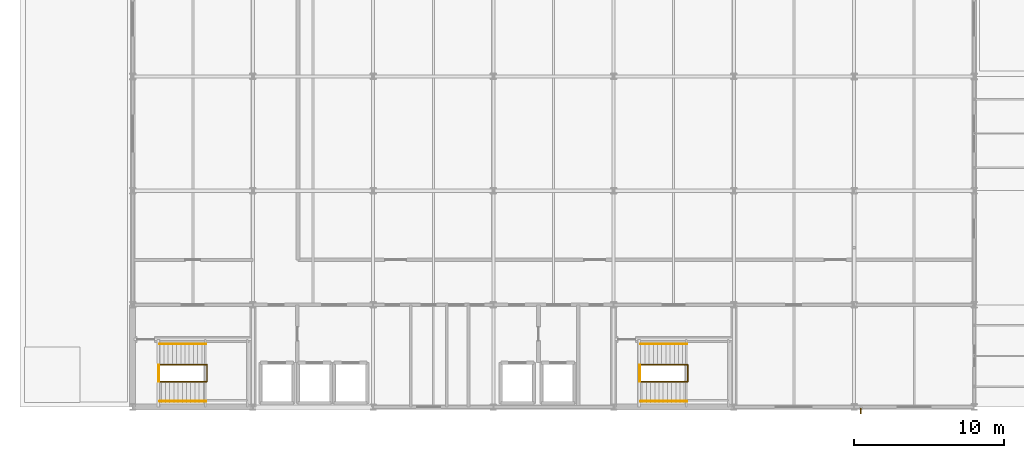
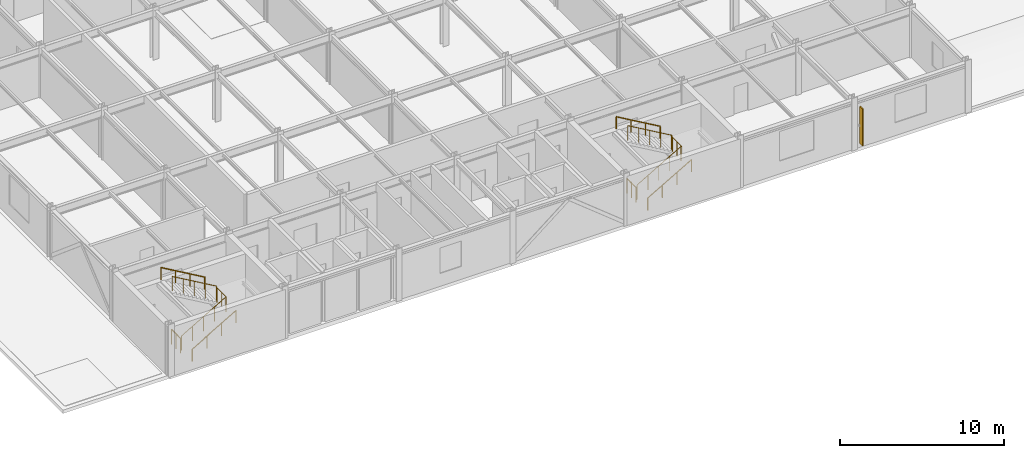
# One storey, part 45 of 46: 8 railings, 1 shading device.
"""IFC4 building model written with IfcOpenShell, lengths in metres."""

import ifcopenshell
import ifcopenshell.guid

model = None  # the IFC model being written
_history = None  # IfcOwnerHistory: only IFC2X3 demands one
_inside = {}  # id of a spatial element -> (the spatial element, [elements in it])
_under = {}  # id of a project, library or spatial element -> (it, [spatial elements below it])
_declared = {}  # id of a project -> (the project, [libraries it declares])
_typed = {}  # id of a type object -> (the type object, [elements of that type])
_made_of = {}  # id of a material, layer set ... -> (it, [elements and type objects made of it])


def new_model(schema):
    """Start an empty IFC model of exactly this schema.

    Asked for "IFC4X3", IfcOpenShell would pick the latest addendum, in which some entities
    have other attributes; the version numbers below select the first issue.
    IFC2X3 requires an IfcOwnerHistory on every rooted entity: one is made here for all.
    """
    global model, _history
    if schema == "IFC4X3":
        model = ifcopenshell.file(schema_version=(4, 3, 0, 0))
    else:
        model = ifcopenshell.file(schema=schema)
    _inside.clear()
    _under.clear()
    _declared.clear()
    _typed.clear()
    _made_of.clear()
    _history = None
    if model.schema == "IFC2X3":
        org = make("IfcOrganization", Name="unknown")
        user = make(
            "IfcPersonAndOrganization",
            ThePerson=make("IfcPerson", FamilyName="unknown"),
            TheOrganization=org,
        )
        app = make(
            "IfcApplication",
            ApplicationDeveloper=org,
            Version="unknown",
            ApplicationFullName="unknown",
            ApplicationIdentifier="unknown",
        )
        _history = make(
            "IfcOwnerHistory",
            OwningUser=user,
            OwningApplication=app,
            ChangeAction="ADDED",
            CreationDate=0,
        )
    return model


def make(cls, **values):
    """One entity of the class cls with the attributes given. An attribute that is None is left unset."""
    return model.create_entity(
        cls, **{name: value for name, value in values.items() if value is not None}
    )


def rooted(cls, **values):
    """An entity with a GlobalId (a new one), such as an element, a storey or a relation."""
    return make(cls, GlobalId=ifcopenshell.guid.new(), OwnerHistory=_history, **values)


def si_unit(unit_type, name, prefix=None):
    """IfcSIUnit, for example si_unit("LENGTHUNIT", "METRE", prefix="MILLI")."""
    return make("IfcSIUnit", UnitType=unit_type, Prefix=prefix, Name=name)


def assignment(units):
    """IfcUnitAssignment: the units of a project."""
    return None if units is None else make("IfcUnitAssignment", Units=units)


def point(xyz):
    """IfcCartesianPoint."""
    return None if xyz is None else make("IfcCartesianPoint", Coordinates=xyz)


def direction(xyz):
    """IfcDirection."""
    return None if xyz is None else make("IfcDirection", DirectionRatios=xyz)


def frame(location, z_axis=None, x_axis=None):
    """IfcAxis2Placement3D, a coordinate frame: its origin and axes. An axis left out is left unset."""
    return make(
        "IfcAxis2Placement3D",
        Location=point(location),
        Axis=direction(z_axis),
        RefDirection=direction(x_axis),
    )


def frame_2d(location, x_axis=None):
    """IfcAxis2Placement2D, a coordinate frame in the plane: its origin and x axis."""
    return make(
        "IfcAxis2Placement2D", Location=point(location), RefDirection=direction(x_axis)
    )


def origin():
    """The frame at (0, 0, 0) with its axes left unset."""
    return frame((0.0, 0.0, 0.0))


def origin_2d():
    """The frame at (0, 0) in the plane with its x axis left unset."""
    return frame_2d((0.0, 0.0))


def place(relative_to, where):
    """IfcLocalPlacement: puts the frame where relative to a parent placement (None: the world)."""
    return make(
        "IfcLocalPlacement", PlacementRelTo=relative_to, RelativePlacement=where
    )


def context(
    kind, dimensions, precision=None, world=None, true_north=None, identifier=None
):
    """IfcGeometricRepresentationContext, for example the 3D "Model" context."""
    return make(
        "IfcGeometricRepresentationContext",
        ContextIdentifier=identifier,
        ContextType=kind,
        CoordinateSpaceDimension=dimensions,
        Precision=precision,
        WorldCoordinateSystem=world,
        TrueNorth=true_north,
    )


def subcontext(parent, identifier, kind, view, scale=None):
    """IfcGeometricRepresentationSubContext, for example "Body" below "Model"."""
    return make(
        "IfcGeometricRepresentationSubContext",
        ContextIdentifier=identifier,
        ContextType=kind,
        ParentContext=parent,
        TargetScale=scale,
        TargetView=view,
    )


def project(units=None, contexts=None):
    """IfcProject with its units and contexts."""
    return rooted(
        "IfcProject",
        Name="project",
        RepresentationContexts=contexts,
        UnitsInContext=assignment(units),
    )


def spatial(cls, under=None, at=None, **own):
    """A site, building, storey or space (cls), placed at a placement, below another one or the project."""
    s = rooted(cls, ObjectPlacement=at, **own)
    if under is not None:
        _under.setdefault(under.id(), (under, []))[1].append(s)
    return s


def profile(cls, at=None, kind="AREA", **sizes):
    """A parametric profile (cls). Its sizes go by their IFC names, for example OverallWidth=200.0."""
    return make(cls, ProfileType=kind, Position=at, **sizes)


def rectangle(**sizes):
    """IfcRectangleProfileDef."""
    return profile("IfcRectangleProfileDef", **sizes)


def circle(**sizes):
    """IfcCircleProfileDef."""
    return profile("IfcCircleProfileDef", **sizes)


def extrude(swept, where, along, depth):
    """IfcExtrudedAreaSolid: the profile swept, set in the frame where, extruded along a direction by depth."""
    return make(
        "IfcExtrudedAreaSolid",
        SweptArea=swept,
        Position=where,
        ExtrudedDirection=direction(along),
        Depth=depth,
    )


def shape(context_of_items, identifier, shape_type, items):
    """IfcShapeRepresentation: the items that make up one representation, for example the "Body"."""
    return make(
        "IfcShapeRepresentation",
        ContextOfItems=context_of_items,
        RepresentationIdentifier=identifier,
        RepresentationType=shape_type,
        Items=items,
    )


def material(Name=None, Category=None):
    """IfcMaterial."""
    return make("IfcMaterial", Name=Name, Category=Category)


def layer(
    of_material, thickness, ventilated=None, Name=None, Category=None, Priority=None
):
    """IfcMaterialLayer: one layer of a wall or slab, of a material (None: an air gap)."""
    return make(
        "IfcMaterialLayer",
        Material=of_material,
        LayerThickness=thickness,
        IsVentilated=ventilated,
        Name=Name,
        Category=Category,
        Priority=Priority,
    )


def layer_set(layers, Name=None):
    """IfcMaterialLayerSet."""
    return make("IfcMaterialLayerSet", MaterialLayers=layers, LayerSetName=Name)


def made_of(thing, what):
    """Note that an element or type object is made of a material, layer set ...; save() writes the relation."""
    if what is not None:
        _made_of.setdefault(what.id(), (what, []))[1].append(thing)
    return thing


def type_object(cls, material=None, **own):
    """A type object (cls), such as IfcWallType, which elements share."""
    return made_of(rooted(cls, **own), material)


def element(
    cls,
    number,
    at=None,
    inside=None,
    cuts=None,
    type_object=None,
    material=None,
    context=None,
    identifier="Body",
    shape_type=None,
    held_by="IfcProductDefinitionShape",
    body=None,
    shapes=None,
    **own,
):
    """One element of the class cls, such as IfcWall. Its Tag is "e" and its number.

    at: its placement. inside: the storey or other place that contains it. cuts: it is an
    opening in that element (IfcRelVoidsElement). A single representation is given by context,
    identifier, shape_type and body (its items); several are given by shapes. held_by: the class
    of the entity that holds the representations. save() writes the other relations.
    """
    e = rooted(cls, Tag="e%d" % number, ObjectPlacement=at, **own)
    if body is not None:
        shapes = [shape(context, identifier, shape_type, body)]
    if shapes is not None:
        e.Representation = make(held_by, Representations=shapes)
    if inside is not None:
        _inside.setdefault(inside.id(), (inside, []))[1].append(e)
    if cuts is not None:
        rooted(
            "IfcRelVoidsElement", RelatingBuildingElement=cuts, RelatedOpeningElement=e
        )
    if type_object is not None:
        _typed.setdefault(type_object.id(), (type_object, []))[1].append(e)
    return made_of(e, material)


def aggregate(whole, parts):
    """IfcRelAggregates: a whole, such as a stair, and the parts it consists of."""
    return rooted("IfcRelAggregates", RelatingObject=whole, RelatedObjects=parts)


def save(model, path):
    """Write the relations noted so far, then the file.

    IfcRelAggregates (storeys below a building ...), IfcRelContainedInSpatialStructure (elements
    in a storey), IfcRelDefinesByType, IfcRelAssociatesMaterial and IfcRelDeclares: one each for
    every whole, place, type object, material and project.
    """
    for whole, parts in _under.values():
        aggregate(whole, parts)
    for where, things in _inside.values():
        rooted(
            "IfcRelContainedInSpatialStructure",
            RelatedElements=things,
            RelatingStructure=where,
        )
    for kind, things in _typed.values():
        rooted("IfcRelDefinesByType", RelatedObjects=things, RelatingType=kind)
    for what, things in _made_of.values():
        rooted("IfcRelAssociatesMaterial", RelatedObjects=things, RelatingMaterial=what)
    for by, libraries in _declared.values():
        rooted("IfcRelDeclares", RelatingContext=by, RelatedDefinitions=libraries)
    model.write(path)


model = new_model("IFC4")

# Units and contexts
model_context = context("Model", 3, precision=1e-05, world=origin(), true_north=direction((0.0, 1.0)))
body_context = subcontext(model_context, "Body", "Model", "MODEL_VIEW")
ifc_project = project(units=[si_unit("LENGTHUNIT", "METRE"), si_unit("AREAUNIT", "SQUARE_METRE"), si_unit("VOLUMEUNIT", "CUBIC_METRE"), si_unit("PLANEANGLEUNIT", "RADIAN"), si_unit("MASSUNIT", "GRAM", prefix="KILO")], contexts=[model_context])

# Site, building, storey
site_placement = place(None, origin())
site = spatial("IfcSite", under=ifc_project, at=site_placement, CompositionType="ELEMENT")
building_placement = place(site_placement, origin())
building = spatial("IfcBuilding", under=site, at=building_placement, Name="Shalkamar Park Central Library", CompositionType="ELEMENT")
storey_placement = place(building_placement, frame((0.0, 0.0, 20.39990234375)))
storey = spatial("IfcBuildingStorey", under=building, at=storey_placement, Name="L05", CompositionType="ELEMENT", Elevation=20.39990234375)

# Shading device
ifc_material_1 = material(Name="Anodized bronze aluminium solar fin", Category="aluminium")
ifc_layer = layer(ifc_material_1, 0.06005859375)
ifc_layer_set = layer_set([ifc_layer], Name="BronzeSolarLouvreBlade")
shading_device_type = type_object("IfcShadingDeviceType", Name="Bronze Solar Louvre Blade", PredefinedType="SHUTTER", material=ifc_layer_set)
shading_device_placement = place(storey_placement, frame((213.4560546875, 248.139892578125, 0.300048828125), z_axis=(0.0, 0.0, 1.0), x_axis=(1.0, 0.0, 0.0)))
element("IfcShadingDevice", 1, at=shading_device_placement, inside=storey, type_object=shading_device_type, Name="Vertical Solar Fin L05-007", PredefinedType="SHUTTER", context=body_context, shape_type="SweptSolid", body=[
    extrude(rectangle(XDim=0.06005859375, YDim=0.35009765625, at=origin_2d()), origin(), (0.0, 0.0, 1.0), 2.748046875),
])

# Railings
ifc_material_2 = material(Name="Steel S355", Category="steel")
railing_type_1 = type_object("IfcRailingType", Name="Stair Guardrail 1100", PredefinedType="GUARDRAIL", material=ifc_material_2)
railing_1_placement = place(storey_placement, frame((166.800048828125, 250.090087890625, 0.16259765625)))
element("IfcRailing", 2, at=railing_1_placement, inside=storey, type_object=railing_type_1, Name="Stair Inner Well Guardrail ST-T1-L05", PredefinedType="GUARDRAIL", context=body_context, shape_type="SweptSolid", body=[
    extrude(circle(Radius=0.02392578125, at=origin_2d()), frame((0.0, 0.0, 1.076171875), z_axis=(0.864873446163, 0.0, 0.501989962173), x_axis=(0.0, 1.0, 0.0)), (0.0, 0.0, 1.0), 3.56103515625),
    extrude(circle(Radius=0.02392578125, at=origin_2d()), frame((3.079833984375, 0.0, 2.86376953125), z_axis=(1.0, 0.0, 0.0), x_axis=(0.0, 1.0, 0.0)), (0.0, 0.0, 1.0), 0.06005859375),
    extrude(circle(Radius=0.02392578125, at=origin_2d()), frame((3.139892578125, 0.0, 2.86376953125), z_axis=(0.0, 1.0, 0.0), x_axis=(-1.0, 0.0, 0.0)), (0.0, 0.0, 1.0), 1.119873046875),
    extrude(circle(Radius=0.02392578125, at=origin_2d()), frame((3.139892578125, 1.119873046875, 2.86376953125), z_axis=(-0.346946854775, 0.0, 0.937884790346), x_axis=(0.0, -1.0, 0.0)), (0.0, 0.0, 1.0), 0.173095703125),
    extrude(circle(Radius=0.02392578125, at=origin_2d()), frame((3.079833984375, 1.119873046875, 3.02587890625), z_axis=(-0.864873446163, 0.0, 0.501989962173), x_axis=(0.0, -1.0, 0.0)), (0.0, 0.0, 1.0), 3.56103515625),
    extrude(circle(Radius=0.02099609375, at=origin_2d()), origin(), (0.0, 0.0, 1.0), 1.052001953125),
    extrude(circle(Radius=0.02099609375, at=origin_2d()), frame((0.77001953125, 0.0, 0.44677734375)), (0.0, 0.0, 1.0), 1.052001953125),
    extrude(circle(Radius=0.02099609375, at=origin_2d()), frame((1.5400390625, 0.0, 0.893798828125)), (0.0, 0.0, 1.0), 1.052001953125),
    extrude(circle(Radius=0.02099609375, at=origin_2d()), frame((2.309814453125, 0.0, 1.3408203125)), (0.0, 0.0, 1.0), 1.052001953125),
    extrude(circle(Radius=0.02099609375, at=origin_2d()), frame((3.079833984375, 0.0, 1.78759765625)), (0.0, 0.0, 1.0), 1.052001953125),
    extrude(circle(Radius=0.02099609375, at=origin_2d()), frame((3.139892578125, 0.0, 1.78759765625)), (0.0, 0.0, 1.0), 1.052001953125),
    extrude(circle(Radius=0.02099609375, at=origin_2d()), frame((3.139892578125, 0.56005859375, 1.78759765625)), (0.0, 0.0, 1.0), 1.052001953125),
    extrude(circle(Radius=0.02099609375, at=origin_2d()), frame((3.139892578125, 1.119873046875, 1.78759765625)), (0.0, 0.0, 1.0), 1.052001953125),
    extrude(circle(Radius=0.02099609375, at=origin_2d()), frame((3.079833984375, 1.119873046875, 1.949951171875)), (0.0, 0.0, 1.0), 1.052001953125),
    extrude(circle(Radius=0.02099609375, at=origin_2d()), frame((2.309814453125, 1.119873046875, 2.39697265625)), (0.0, 0.0, 1.0), 1.052001953125),
    extrude(circle(Radius=0.02099609375, at=origin_2d()), frame((1.5400390625, 1.119873046875, 2.84375)), (0.0, 0.0, 1.0), 1.052001953125),
    extrude(circle(Radius=0.02099609375, at=origin_2d()), frame((0.77001953125, 1.119873046875, 3.29052734375)), (0.0, 0.0, 1.0), 1.052001953125),
    extrude(circle(Radius=0.02099609375, at=origin_2d()), frame((0.0, 1.119873046875, 3.737548828125)), (0.0, 0.0, 1.0), 1.052001953125),
])
railing_2_placement = place(storey_placement, frame((166.739990234375, 250.10009765625, 0.0)))
element("IfcRailing", 3, at=railing_2_placement, inside=storey, type_object=railing_type_1, Name="Stair Arrival Well Guardrail ST-T1 (L05)", PredefinedType="GUARDRAIL", context=body_context, shape_type="SweptSolid", body=[
    extrude(circle(Radius=0.02392578125, at=origin_2d()), frame((0.0, 0.0, 1.076171875), z_axis=(0.0, 1.0, 0.0), x_axis=(-1.0, 0.0, 0.0)), (0.0, 0.0, 1.0), 1.099853515625),
    extrude(circle(Radius=0.02099609375, at=origin_2d()), origin(), (0.0, 0.0, 1.0), 1.052001953125),
    extrude(circle(Radius=0.02099609375, at=origin_2d()), frame((0.0, 0.5498046875, 0.0)), (0.0, 0.0, 1.0), 1.052001953125),
    extrude(circle(Radius=0.02099609375, at=origin_2d()), frame((0.0, 1.099853515625, 0.0)), (0.0, 0.0, 1.0), 1.052001953125),
])
railing_3_placement = place(storey_placement, frame((198.800048828125, 250.090087890625, 0.16259765625)))
element("IfcRailing", 4, at=railing_3_placement, inside=storey, type_object=railing_type_1, Name="Stair Inner Well Guardrail ST-T2-L05", PredefinedType="GUARDRAIL", context=body_context, shape_type="SweptSolid", body=[
    extrude(circle(Radius=0.02392578125, at=origin_2d()), frame((0.0, 0.0, 1.076171875), z_axis=(0.864873446163, 0.0, 0.501989962173), x_axis=(0.0, 1.0, 0.0)), (0.0, 0.0, 1.0), 3.56103515625),
    extrude(circle(Radius=0.02392578125, at=origin_2d()), frame((3.079833984375, 0.0, 2.86376953125), z_axis=(1.0, 0.0, 0.0), x_axis=(0.0, 1.0, 0.0)), (0.0, 0.0, 1.0), 0.06005859375),
    extrude(circle(Radius=0.02392578125, at=origin_2d()), frame((3.139892578125, 0.0, 2.86376953125), z_axis=(0.0, 1.0, 0.0), x_axis=(-1.0, 0.0, 0.0)), (0.0, 0.0, 1.0), 1.119873046875),
    extrude(circle(Radius=0.02392578125, at=origin_2d()), frame((3.139892578125, 1.119873046875, 2.86376953125), z_axis=(-0.346946854775, 0.0, 0.937884790346), x_axis=(0.0, -1.0, 0.0)), (0.0, 0.0, 1.0), 0.173095703125),
    extrude(circle(Radius=0.02392578125, at=origin_2d()), frame((3.079833984375, 1.119873046875, 3.02587890625), z_axis=(-0.864873446163, 0.0, 0.501989962173), x_axis=(0.0, -1.0, 0.0)), (0.0, 0.0, 1.0), 3.56103515625),
    extrude(circle(Radius=0.02099609375, at=origin_2d()), origin(), (0.0, 0.0, 1.0), 1.052001953125),
    extrude(circle(Radius=0.02099609375, at=origin_2d()), frame((0.77001953125, 0.0, 0.44677734375)), (0.0, 0.0, 1.0), 1.052001953125),
    extrude(circle(Radius=0.02099609375, at=origin_2d()), frame((1.5400390625, 0.0, 0.893798828125)), (0.0, 0.0, 1.0), 1.052001953125),
    extrude(circle(Radius=0.02099609375, at=origin_2d()), frame((2.309814453125, 0.0, 1.3408203125)), (0.0, 0.0, 1.0), 1.052001953125),
    extrude(circle(Radius=0.02099609375, at=origin_2d()), frame((3.079833984375, 0.0, 1.78759765625)), (0.0, 0.0, 1.0), 1.052001953125),
    extrude(circle(Radius=0.02099609375, at=origin_2d()), frame((3.139892578125, 0.0, 1.78759765625)), (0.0, 0.0, 1.0), 1.052001953125),
    extrude(circle(Radius=0.02099609375, at=origin_2d()), frame((3.139892578125, 0.56005859375, 1.78759765625)), (0.0, 0.0, 1.0), 1.052001953125),
    extrude(circle(Radius=0.02099609375, at=origin_2d()), frame((3.139892578125, 1.119873046875, 1.78759765625)), (0.0, 0.0, 1.0), 1.052001953125),
    extrude(circle(Radius=0.02099609375, at=origin_2d()), frame((3.079833984375, 1.119873046875, 1.949951171875)), (0.0, 0.0, 1.0), 1.052001953125),
    extrude(circle(Radius=0.02099609375, at=origin_2d()), frame((2.309814453125, 1.119873046875, 2.39697265625)), (0.0, 0.0, 1.0), 1.052001953125),
    extrude(circle(Radius=0.02099609375, at=origin_2d()), frame((1.5400390625, 1.119873046875, 2.84375)), (0.0, 0.0, 1.0), 1.052001953125),
    extrude(circle(Radius=0.02099609375, at=origin_2d()), frame((0.77001953125, 1.119873046875, 3.29052734375)), (0.0, 0.0, 1.0), 1.052001953125),
    extrude(circle(Radius=0.02099609375, at=origin_2d()), frame((0.0, 1.119873046875, 3.737548828125)), (0.0, 0.0, 1.0), 1.052001953125),
])
railing_4_placement = place(storey_placement, frame((198.739990234375, 250.10009765625, 0.0)))
element("IfcRailing", 5, at=railing_4_placement, inside=storey, type_object=railing_type_1, Name="Stair Arrival Well Guardrail ST-T2 (L05)", PredefinedType="GUARDRAIL", context=body_context, shape_type="SweptSolid", body=[
    extrude(circle(Radius=0.02392578125, at=origin_2d()), frame((0.0, 0.0, 1.076171875), z_axis=(0.0, 1.0, 0.0), x_axis=(-1.0, 0.0, 0.0)), (0.0, 0.0, 1.0), 1.099853515625),
    extrude(circle(Radius=0.02099609375, at=origin_2d()), origin(), (0.0, 0.0, 1.0), 1.052001953125),
    extrude(circle(Radius=0.02099609375, at=origin_2d()), frame((0.0, 0.5498046875, 0.0)), (0.0, 0.0, 1.0), 1.052001953125),
    extrude(circle(Radius=0.02099609375, at=origin_2d()), frame((0.0, 1.099853515625, 0.0)), (0.0, 0.0, 1.0), 1.052001953125),
])
railing_type_2 = type_object("IfcRailingType", Name="Stair Pitched Handrail 920", PredefinedType="HANDRAIL", material=ifc_material_2)
railing_5_placement = place(storey_placement, frame((166.800048828125, 248.780029296875, 0.16259765625)))
element("IfcRailing", 6, at=railing_5_placement, inside=storey, type_object=railing_type_2, Name="Stair Wall Handrail ST-T1-L05 Flight 1", PredefinedType="HANDRAIL", context=body_context, shape_type="SweptSolid", body=[
    extrude(circle(Radius=0.02392578125, at=origin_2d()), frame((0.0, 0.0, 0.89599609375), z_axis=(0.864873446163, 0.0, 0.501989962173), x_axis=(0.0, 1.0, 0.0)), (0.0, 0.0, 1.0), 3.56103515625),
    extrude(circle(Radius=0.02099609375, at=origin_2d()), origin(), (0.0, 0.0, 1.0), 0.871826171875),
    extrude(circle(Radius=0.02099609375, at=origin_2d()), frame((1.026611328125, 0.0, 0.595947265625)), (0.0, 0.0, 1.0), 0.871826171875),
    extrude(circle(Radius=0.02099609375, at=origin_2d()), frame((2.05322265625, 0.0, 1.191650390625)), (0.0, 0.0, 1.0), 0.871826171875),
    extrude(circle(Radius=0.02099609375, at=origin_2d()), frame((3.079833984375, 0.0, 1.78759765625)), (0.0, 0.0, 1.0), 0.871826171875),
])
railing_6_placement = place(storey_placement, frame((169.8798828125, 252.60009765625, 2.112548828125)))
element("IfcRailing", 7, at=railing_6_placement, inside=storey, type_object=railing_type_2, Name="Stair Wall Handrail ST-T1-L05 Flight 2", PredefinedType="HANDRAIL", context=body_context, shape_type="SweptSolid", body=[
    extrude(circle(Radius=0.02392578125, at=origin_2d()), frame((0.0, 0.0, 0.89599609375), z_axis=(-0.864873446163, 0.0, 0.501989962173), x_axis=(0.0, -1.0, 0.0)), (0.0, 0.0, 1.0), 3.56103515625),
    extrude(circle(Radius=0.02099609375, at=origin_2d()), origin(), (0.0, 0.0, 1.0), 0.871826171875),
    extrude(circle(Radius=0.02099609375, at=origin_2d()), frame((-1.026611328125, 0.0, 0.595947265625)), (0.0, 0.0, 1.0), 0.871826171875),
    extrude(circle(Radius=0.02099609375, at=origin_2d()), frame((-2.05322265625, 0.0, 1.191650390625)), (0.0, 0.0, 1.0), 0.871826171875),
    extrude(circle(Radius=0.02099609375, at=origin_2d()), frame((-3.079833984375, 0.0, 1.78759765625)), (0.0, 0.0, 1.0), 0.871826171875),
])
railing_7_placement = place(storey_placement, frame((198.800048828125, 248.780029296875, 0.16259765625)))
element("IfcRailing", 8, at=railing_7_placement, inside=storey, type_object=railing_type_2, Name="Stair Wall Handrail ST-T2-L05 Flight 1", PredefinedType="HANDRAIL", context=body_context, shape_type="SweptSolid", body=[
    extrude(circle(Radius=0.02392578125, at=origin_2d()), frame((0.0, 0.0, 0.89599609375), z_axis=(0.864873446163, 0.0, 0.501989962173), x_axis=(0.0, 1.0, 0.0)), (0.0, 0.0, 1.0), 3.56103515625),
    extrude(circle(Radius=0.02099609375, at=origin_2d()), origin(), (0.0, 0.0, 1.0), 0.871826171875),
    extrude(circle(Radius=0.02099609375, at=origin_2d()), frame((1.026611328125, 0.0, 0.595947265625)), (0.0, 0.0, 1.0), 0.871826171875),
    extrude(circle(Radius=0.02099609375, at=origin_2d()), frame((2.05322265625, 0.0, 1.191650390625)), (0.0, 0.0, 1.0), 0.871826171875),
    extrude(circle(Radius=0.02099609375, at=origin_2d()), frame((3.079833984375, 0.0, 1.78759765625)), (0.0, 0.0, 1.0), 0.871826171875),
])
railing_8_placement = place(storey_placement, frame((201.8798828125, 252.60009765625, 2.112548828125)))
element("IfcRailing", 9, at=railing_8_placement, inside=storey, type_object=railing_type_2, Name="Stair Wall Handrail ST-T2-L05 Flight 2", PredefinedType="HANDRAIL", context=body_context, shape_type="SweptSolid", body=[
    extrude(circle(Radius=0.02392578125, at=origin_2d()), frame((0.0, 0.0, 0.89599609375), z_axis=(-0.864873446163, 0.0, 0.501989962173), x_axis=(0.0, -1.0, 0.0)), (0.0, 0.0, 1.0), 3.56103515625),
    extrude(circle(Radius=0.02099609375, at=origin_2d()), origin(), (0.0, 0.0, 1.0), 0.871826171875),
    extrude(circle(Radius=0.02099609375, at=origin_2d()), frame((-1.026611328125, 0.0, 0.595947265625)), (0.0, 0.0, 1.0), 0.871826171875),
    extrude(circle(Radius=0.02099609375, at=origin_2d()), frame((-2.05322265625, 0.0, 1.191650390625)), (0.0, 0.0, 1.0), 0.871826171875),
    extrude(circle(Radius=0.02099609375, at=origin_2d()), frame((-3.079833984375, 0.0, 1.78759765625)), (0.0, 0.0, 1.0), 0.871826171875),
])

save(model, "model.ifc")
